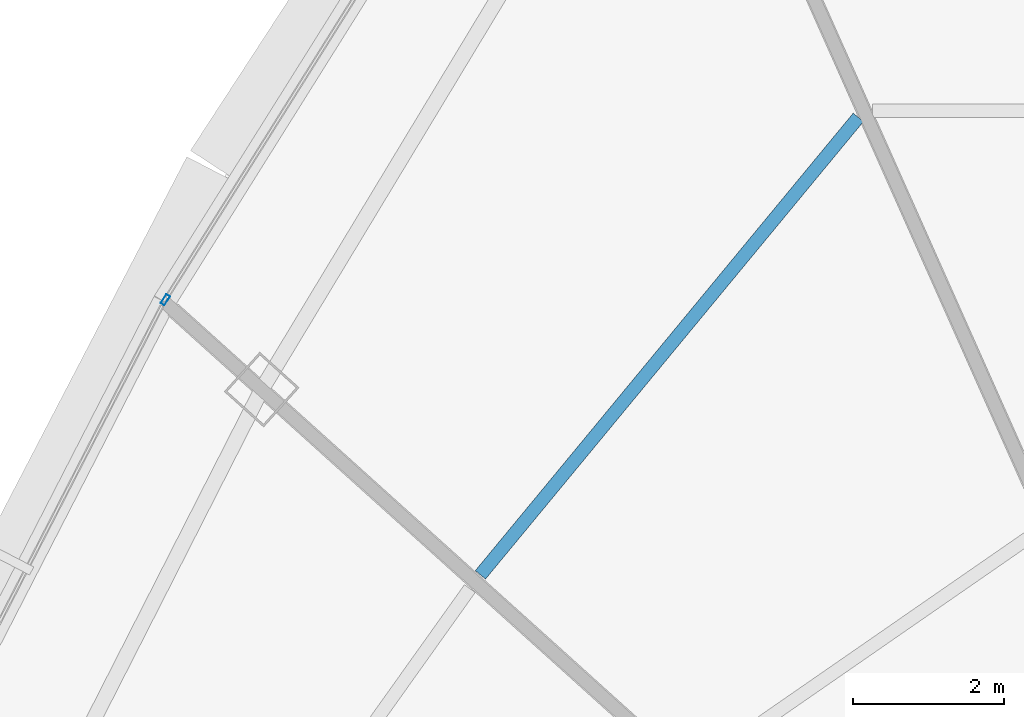
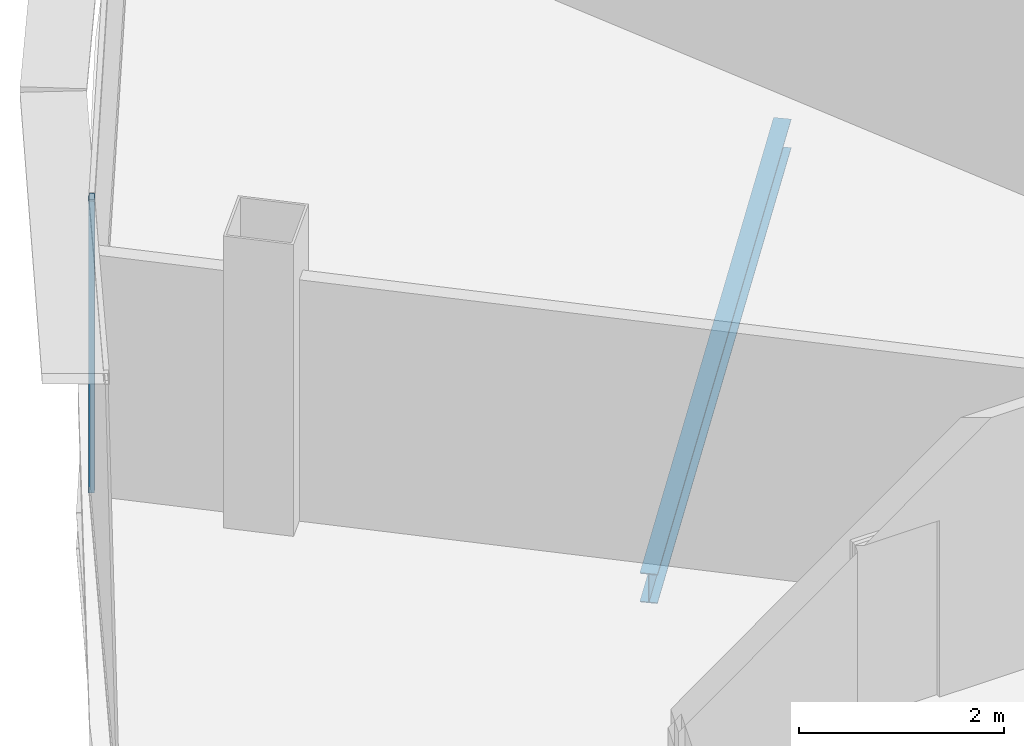
# One storey, part 8 of 29: 1 beam, 1 member, 1 element without a shape of its own.
"""IFC4 building model written with IfcOpenShell, lengths in metres."""

from ifc_helpers import new_model, si_unit, direction, frame, origin, origin_2d, place, context, subcontext, project, spatial, hollow_rectangle, i_section, extrude, source, transform, mapped, material, layer, layer_set, material_profile, profile_set, type_object, element, aggregate, save


model = new_model("IFC4")

# Units and contexts
model_context = context("Model", 3, precision=1e-05, world=origin(), true_north=direction((0.0, 1.0)))
body_context = subcontext(model_context, "Body", "Model", "MODEL_VIEW")
ifc_project = project(units=[si_unit("LENGTHUNIT", "METRE"), si_unit("AREAUNIT", "SQUARE_METRE"), si_unit("VOLUMEUNIT", "CUBIC_METRE"), si_unit("PLANEANGLEUNIT", "RADIAN"), si_unit("MASSUNIT", "GRAM", prefix="KILO"), si_unit("THERMODYNAMICTEMPERATUREUNIT", "KELVIN"), si_unit("POWERUNIT", "WATT")], contexts=[model_context])

# Site, building, storey
site_placement = place(None, origin())
site = spatial("IfcSite", under=ifc_project, at=site_placement, CompositionType="ELEMENT")
building_placement = place(site_placement, origin())
building = spatial("IfcBuilding", under=site, at=building_placement, Name="Yunzhuo Pagoda Commons", CompositionType="ELEMENT")
storey_placement = place(building_placement, frame((0.0, 0.0, 363.010009765625)))
storey = spatial("IfcBuildingStorey", under=building, at=storey_placement, Name="L91", CompositionType="ELEMENT", Elevation=363.010009765625)

# Beam
ifc_material_1 = material(Name="Structural steel Q355B", Category="steel")
ifc_material_profile_1 = material_profile(ifc_material_1, i_section(OverallWidth=0.175048828125, OverallDepth=0.35009765625, WebThickness=0.007080078125, FlangeThickness=0.010986328125, at=origin_2d()), Name="Structural steel Q355B")
ifc_profile_set_1 = profile_set([ifc_material_profile_1], Name="Structural steel Q355B")
beam_type = type_object("IfcBeamType", Name="B-JS2 Joist HN 350x175x7x11", PredefinedType="JOIST", material=ifc_profile_set_1)
shared_shape_1 = source(origin(), body_context, "Body", "SweptSolid", [
    extrude(i_section(OverallWidth=0.175048828125, OverallDepth=0.35009765625, WebThickness=0.007080078125, FlangeThickness=0.010986328125, at=origin_2d()), origin(), (0.0, 0.0, 1.0), 7.842529296875),
])
beam_placement = place(storey_placement, frame((39.861328125, 51.726318359375, -0.43505859375), z_axis=(-0.636899145749, -0.770947130577, 0.0), x_axis=(0.770947130577, -0.636899145749, 0.0)))
element("IfcBeam", 1, at=beam_placement, inside=storey, type_object=beam_type, Name="L91 composite ring joist 2.9", PredefinedType="JOIST", context=body_context, shape_type="MappedRepresentation", body=[
    mapped(shared_shape_1, transform((0.0, 0.0, 0.0), scale=1.0)),
])

# Curtain wall, member
ifc_material_2 = material(Name="Anodized aluminium 6063-T6", Category="aluminium")
ifc_layer = layer(ifc_material_2, 0.139892578125)
ifc_layer_set = layer_set([ifc_layer], Name="Anodized aluminium 6063-T6")
curtain_wall_type = type_object("IfcCurtainWallType", Name="CW-HI High-Zone Ribbon Curtain Wall", PredefinedType="NOTDEFINED", material=ifc_layer_set)
curtain_wall_placement = place(storey_placement, origin())
curtain_wall = element("IfcCurtainWall", 2, at=curtain_wall_placement, inside=storey, type_object=curtain_wall_type, Name="L91 curtain wall CW-L91-F3B2", PredefinedType="NOTDEFINED")
ifc_material_profile_2 = material_profile(ifc_material_2, hollow_rectangle(XDim=0.06005859375, YDim=0.139892578125, WallThickness=0.00341796875, at=origin_2d()), Name="Anodized aluminium 6063-T6")
ifc_profile_set_2 = profile_set([ifc_material_profile_2], Name="Anodized aluminium 6063-T6")
member_type = type_object("IfcMemberType", Name="CW-HI-M Mullion RHS 140x60x3.5", PredefinedType="MULLION", material=ifc_profile_set_2)
shared_shape_2 = source(origin(), body_context, "Body", "SweptSolid", [
    extrude(hollow_rectangle(XDim=0.06005859375, YDim=0.139892578125, WallThickness=0.00341796875, at=origin_2d()), origin(), (0.0, 0.0, 1.0), 3.47021484375),
])
member_placement = place(storey_placement, frame((30.701416015625, 49.3154296875, 0.0), z_axis=(0.0, 0.0, 1.0), x_axis=(0.847272854146, -0.531157896135, 0.0)))
member = element("IfcMember", 3, at=member_placement, type_object=member_type, Name="CW mullion 2", PredefinedType="MULLION", context=body_context, shape_type="MappedRepresentation", body=[
    mapped(shared_shape_2, transform((0.0, 0.0, 0.0), scale=1.0)),
])
aggregate(curtain_wall, [member])

save(model, "model.ifc")
